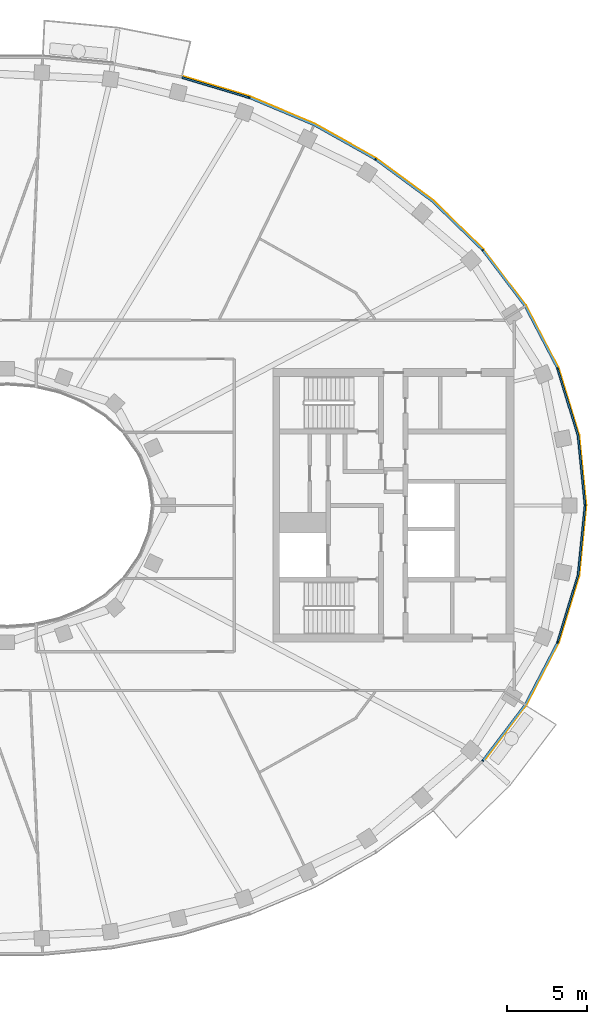
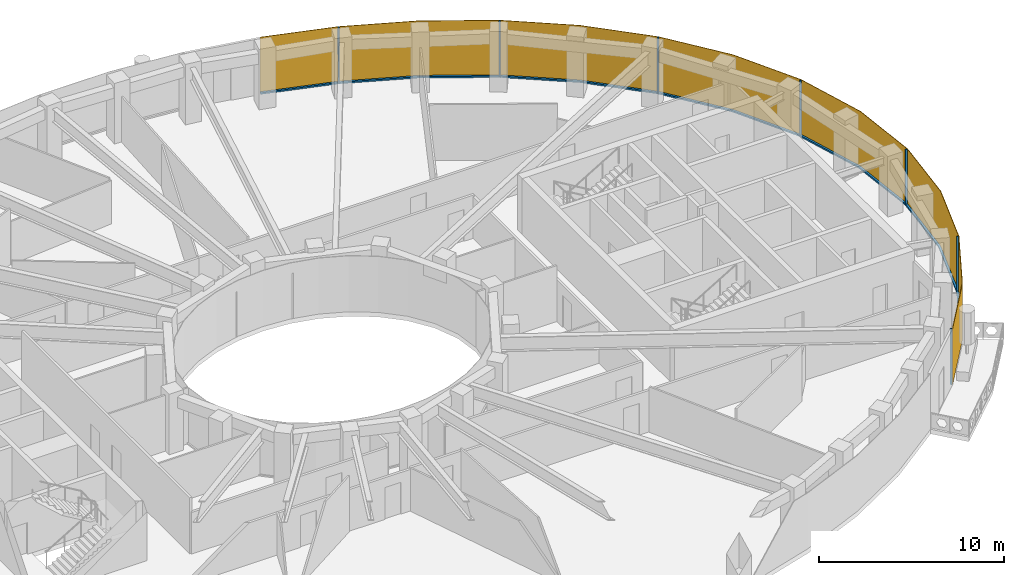
# One storey, part 13 of 16: 14 members, 1 curtain wall.
"""IFC4 building model written with IfcOpenShell, lengths in metres."""

from ifc_helpers import new_model, si_unit, direction, frame, origin, origin_2d, place, context, subcontext, project, spatial, polyline, rectangle, outline, extrude, material, layer, layer_set, material_profile, profile_set, type_object, element, aggregate, save


model = new_model("IFC4")

# Units and contexts
model_context = context("Model", 3, precision=1e-05, world=origin(), true_north=direction((0.0, 1.0)))
body_context = subcontext(model_context, "Body", "Model", "MODEL_VIEW")
ifc_project = project(units=[si_unit("LENGTHUNIT", "METRE"), si_unit("AREAUNIT", "SQUARE_METRE"), si_unit("VOLUMEUNIT", "CUBIC_METRE"), si_unit("PLANEANGLEUNIT", "RADIAN"), si_unit("MASSUNIT", "GRAM", prefix="KILO")], contexts=[model_context])

# Member
ifc_material_1 = material(Name="Aluminium 6063-T6 black anodised", Category="aluminium")
ifc_material_profile = material_profile(ifc_material_1, rectangle(XDim=0.1201171875, YDim=0.06005859375, at=origin_2d()), Name="120x60")
ifc_profile_set = profile_set([ifc_material_profile], Name="Aluminium 6063-T6 black anodised")
member_type_1 = type_object("IfcMemberType", Name="ENV-MULLION-A-120", PredefinedType="MULLION", material=ifc_profile_set)
site_placement = place(None, origin())
building_placement = place(site_placement, origin())
storey_placement = place(building_placement, frame((0.0, 0.0, 303.0)))
member_1_placement = place(storey_placement, frame((29.53857421875, -15.8671875, 0.0), z_axis=(0.0, 0.0, 1.0), x_axis=(-0.749047221705, 0.662516610853, 0.0)))
member_1 = element("IfcMember", 1, at=member_1_placement, type_object=member_type_1, Name="Mullion A radial 43", PredefinedType="MULLION", context=body_context, shape_type="SweptSolid", body=[
    extrude(rectangle(XDim=0.1201171875, YDim=0.06005859375, at=origin_2d()), origin(), (0.0, 0.0, 1.0), 3.699951171875),
])

member_2_placement = place(storey_placement, frame((34.19580078125, -8.513916015625, 0.0), z_axis=(0.0, 0.0, 1.0), x_axis=(-0.92546738067, 0.378827305398, 0.0)))
member_2 = element("IfcMember", 2, at=member_2_placement, type_object=member_type_1, Name="Mullion A radial 45", PredefinedType="MULLION", context=body_context, shape_type="SweptSolid", body=[
    extrude(rectangle(XDim=0.1201171875, YDim=0.06005859375, at=origin_2d()), origin(), (0.0, 0.0, 1.0), 3.699951171875),
])

member_3_placement = place(storey_placement, frame((35.907958984375, 0.0, 0.0), z_axis=(0.0, 0.0, 1.0), x_axis=(-1.0, 0.0, 0.0)))
member_3 = element("IfcMember", 3, at=member_3_placement, type_object=member_type_1, Name="Mullion A radial 01", PredefinedType="MULLION", context=body_context, shape_type="SweptSolid", body=[
    extrude(rectangle(XDim=0.1201171875, YDim=0.06005859375, at=origin_2d()), origin(), (0.0, 0.0, 1.0), 3.699951171875),
])

member_4_placement = place(storey_placement, frame((34.19580078125, 8.513916015625, 0.0), z_axis=(0.0, 0.0, 1.0), x_axis=(-0.92546738067, -0.378827305398, 0.0)))
member_4 = element("IfcMember", 4, at=member_4_placement, type_object=member_type_1, Name="Mullion A radial 03", PredefinedType="MULLION", context=body_context, shape_type="SweptSolid", body=[
    extrude(rectangle(XDim=0.1201171875, YDim=0.06005859375, at=origin_2d()), origin(), (0.0, 0.0, 1.0), 3.699951171875),
])

member_5_placement = place(storey_placement, frame((29.53857421875, 15.8671875, 0.0), z_axis=(0.0, 0.0, 1.0), x_axis=(-0.749047221705, -0.662516610853, 0.0)))
member_5 = element("IfcMember", 5, at=member_5_placement, type_object=member_type_1, Name="Mullion A radial 05", PredefinedType="MULLION", context=body_context, shape_type="SweptSolid", body=[
    extrude(rectangle(XDim=0.1201171875, YDim=0.06005859375, at=origin_2d()), origin(), (0.0, 0.0, 1.0), 3.699951171875),
])

member_6_placement = place(storey_placement, frame((22.882568359375, 21.506591796875, 0.0), z_axis=(0.0, 0.0, 1.0), x_axis=(-0.542279153225, -0.840198381323, 0.0)))
member_6 = element("IfcMember", 6, at=member_6_placement, type_object=member_type_1, Name="Mullion A radial 07", PredefinedType="MULLION", context=body_context, shape_type="SweptSolid", body=[
    extrude(rectangle(XDim=0.1201171875, YDim=0.06005859375, at=origin_2d()), origin(), (0.0, 0.0, 1.0), 3.699951171875),
])

member_7_placement = place(storey_placement, frame((15.0341796875, 25.34375, 0.0), z_axis=(0.0, 0.0, 1.0), x_axis=(-0.338379256581, -0.941009818608, 0.0)))
member_7 = element("IfcMember", 7, at=member_7_placement, type_object=member_type_1, Name="Mullion A radial 09", PredefinedType="MULLION", context=body_context, shape_type="SweptSolid", body=[
    extrude(rectangle(XDim=0.1201171875, YDim=0.06005859375, at=origin_2d()), origin(), (0.0, 0.0, 1.0), 3.699951171875),
])

ifc_material_2 = material(Name="Aluminium 6063-T6 black anodised", Category="aluminium")
member_type_2 = type_object("IfcMemberType", Name="ENV-TRANSOM-A", PredefinedType="USERDEFINED", material=ifc_material_2)
member_8_placement = place(storey_placement, origin())
member_8 = element("IfcMember", 8, at=member_8_placement, type_object=member_type_2, Name="Transom A radial 43-45", ObjectType="TRANSOM", PredefinedType="USERDEFINED", context=body_context, shape_type="SweptSolid", body=[
    extrude(outline(polyline([(29.6005859375, -15.884521484375), (32.22802734375, -12.41748046875), (34.23828125, -8.5615234375), (34.126708984375, -8.515869140625), (32.126220703125, -12.35302734375), (29.51025390625, -15.8046875), (29.6005859375, -15.884521484375)])), origin(), (0.0, 0.0, 1.0), 0.10009765625),
])

member_9_placement = place(storey_placement, origin())
member_9 = element("IfcMember", 9, at=member_9_placement, type_object=member_type_2, Name="Transom A radial 45-01", ObjectType="TRANSOM", PredefinedType="USERDEFINED", context=body_context, shape_type="SweptSolid", body=[
    extrude(outline(polyline([(34.259521484375, -8.509765625), (35.529541015625, -4.352294921875), (35.965087890625, -0.02783203125), (35.844482421875, -0.02783203125), (35.411376953125, -4.32861328125), (34.14794921875, -8.464111328125), (34.259521484375, -8.509765625)])), origin(), (0.0, 0.0, 1.0), 0.10009765625),
])

member_10_placement = place(storey_placement, origin())
member_10 = element("IfcMember", 10, at=member_10_placement, type_object=member_type_2, Name="Transom A radial 01-03", ObjectType="TRANSOM", PredefinedType="USERDEFINED", context=body_context, shape_type="SweptSolid", body=[
    extrude(outline(polyline([(35.965087890625, 0.02783203125), (35.529541015625, 4.352294921875), (34.259521484375, 8.509765625), (34.14794921875, 8.464111328125), (35.411376953125, 4.32861328125), (35.844482421875, 0.02783203125), (35.965087890625, 0.02783203125)])), origin(), (0.0, 0.0, 1.0), 0.10009765625),
])

member_11_placement = place(storey_placement, origin())
member_11 = element("IfcMember", 11, at=member_11_placement, type_object=member_type_2, Name="Transom A radial 03-05", ObjectType="TRANSOM", PredefinedType="USERDEFINED", context=body_context, shape_type="SweptSolid", body=[
    extrude(outline(polyline([(34.23828125, 8.5615234375), (32.22802734375, 12.41748046875), (29.6005859375, 15.884521484375), (29.51025390625, 15.8046875), (32.126220703125, 12.35302734375), (34.126708984375, 8.515869140625), (34.23828125, 8.5615234375)])), origin(), (0.0, 0.0, 1.0), 0.10009765625),
])

member_12_placement = place(storey_placement, origin())
member_12 = element("IfcMember", 12, at=member_12_placement, type_object=member_type_2, Name="Transom A radial 05-07", ObjectType="TRANSOM", PredefinedType="USERDEFINED", context=body_context, shape_type="SweptSolid", body=[
    extrude(outline(polyline([(29.5634765625, 15.926513671875), (26.4423828125, 18.958740234375), (22.937744140625, 21.540283203125), (22.87255859375, 21.439208984375), (26.364501953125, 18.866943359375), (29.473388671875, 15.8466796875), (29.5634765625, 15.926513671875)])), origin(), (0.0, 0.0, 1.0), 0.10009765625),
])

member_13_placement = place(storey_placement, origin())
member_13 = element("IfcMember", 13, at=member_13_placement, type_object=member_type_2, Name="Transom A radial 07-09", ObjectType="TRANSOM", PredefinedType="USERDEFINED", context=body_context, shape_type="SweptSolid", body=[
    extrude(outline(polyline([(22.890625, 21.570556640625), (19.093994140625, 23.701416015625), (15.080322265625, 25.389404296875), (15.03955078125, 25.276123046875), (19.041259765625, 23.593505859375), (22.825439453125, 21.469482421875), (22.890625, 21.570556640625)])), origin(), (0.0, 0.0, 1.0), 0.10009765625),
])

member_14_placement = place(storey_placement, origin())
member_14 = element("IfcMember", 14, at=member_14_placement, type_object=member_type_2, Name="Transom A radial 09-10", ObjectType="TRANSOM", PredefinedType="USERDEFINED", context=body_context, shape_type="SweptSolid", body=[
    extrude(outline(polyline([(15.027587890625, 25.408203125), (10.876708984375, 26.657470703125), (10.847900390625, 26.540771484375), (14.987060546875, 25.295166015625), (15.027587890625, 25.408203125)])), origin(), (0.0, 0.0, 1.0), 0.10009765625),
])

# Site, building, storey
site = spatial("IfcSite", under=ifc_project, at=site_placement, CompositionType="ELEMENT")
building = spatial("IfcBuilding", under=site, at=building_placement, Name="Noorbagh Ring Tower", CompositionType="ELEMENT")
storey = spatial("IfcBuildingStorey", under=building, at=storey_placement, Name="L65", CompositionType="ELEMENT", Elevation=303.0)

# Curtain wall
ifc_material_3 = material(Name="Glass dark tinted laminated", Category="glass")
ifc_layer = layer(ifc_material_3, 0.031982421875)
ifc_layer_set = layer_set([ifc_layer], Name="Glass dark tinted laminated")
curtain_wall_type = type_object("IfcCurtainWallType", Name="ENV-CW-A", PredefinedType="NOTDEFINED", material=ifc_layer_set)
curtain_wall_placement = place(storey_placement, origin())
curtain_wall = element("IfcCurtainWall", 15, at=curtain_wall_placement, inside=storey, type_object=curtain_wall_type, Name="Curtain wall A R43", PredefinedType="NOTDEFINED", context=body_context, shape_type="SweptSolid", body=[
    extrude(outline(polyline([(29.61962890625, -15.912109375), (32.255126953125, -12.434814453125), (34.281005859375, -8.548828125), (35.561279296875, -4.358642578125), (36.0, 0.0), (35.561279296875, 4.358642578125), (34.281005859375, 8.548828125), (32.255126953125, 12.434814453125), (29.607666015625, 15.927978515625), (26.463134765625, 18.9833984375), (22.9326171875, 21.583740234375), (19.108154296875, 23.730224609375), (15.065185546875, 25.430419921875), (10.884521484375, 26.6884765625), (10.876708984375, 26.657470703125), (15.054443359375, 25.400146484375), (19.093994140625, 23.701416015625), (22.9150390625, 21.556884765625), (26.4423828125, 18.958740234375), (29.58349609375, 15.906982421875), (32.22802734375, 12.41748046875), (34.251220703125, 8.53662109375), (35.529541015625, 4.352294921875), (35.9677734375, 0.0), (35.529541015625, -4.352294921875), (34.251220703125, -8.53662109375), (32.22802734375, -12.41748046875), (29.595703125, -15.890869140625), (29.61962890625, -15.912109375)])), origin(), (0.0, 0.0, 1.0), 3.699951171875),
])

aggregate(curtain_wall, [member_1, member_2, member_3, member_4, member_5, member_6, member_7, member_8, member_9, member_10, member_11, member_12, member_13, member_14])

save(model, "model.ifc")
